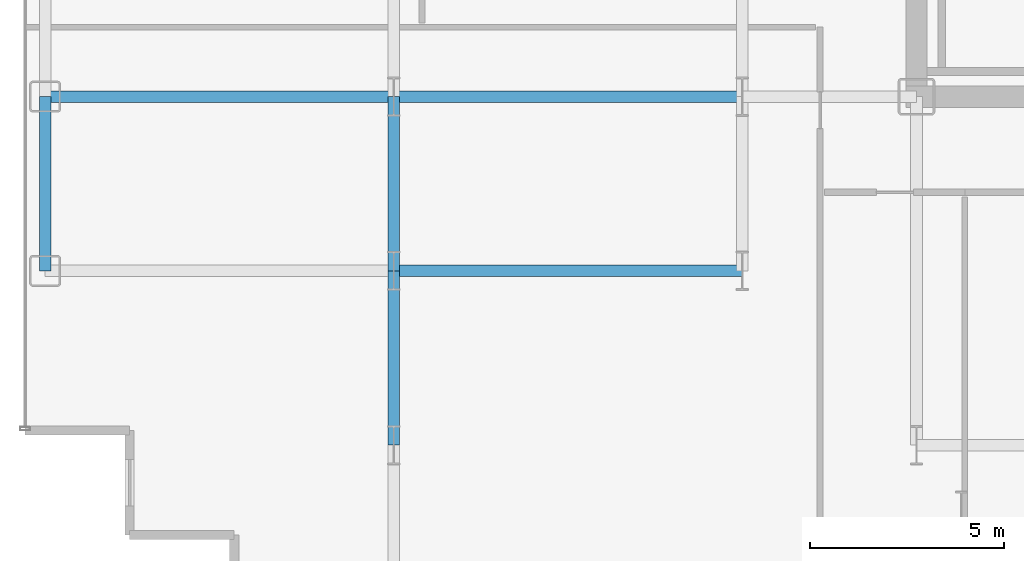
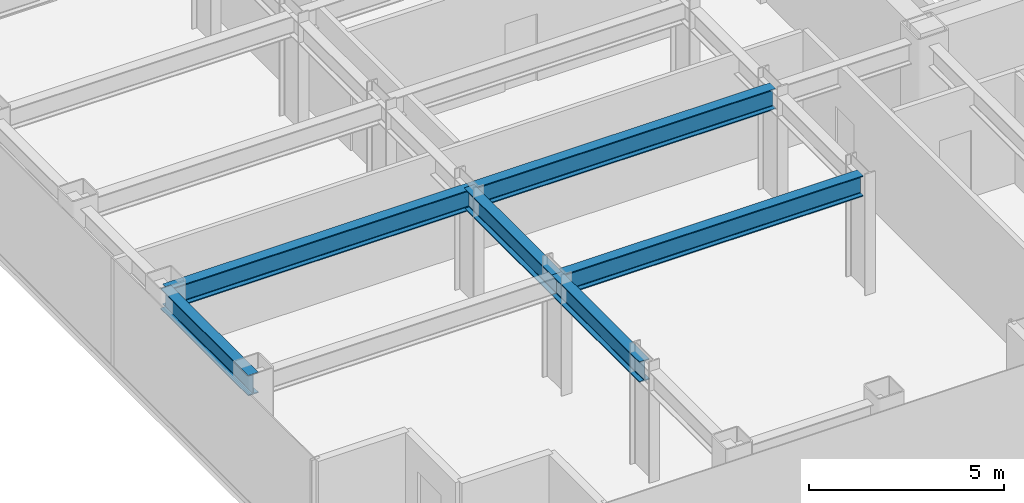
# One storey, part 3 of 26: 6 beams.
"""IFC4 building model written with IfcOpenShell, lengths in metres."""

from ifc_helpers import new_model, si_unit, direction, frame, origin, origin_2d, place, context, subcontext, project, spatial, i_section, extrude, source, transform, mapped, material, material_profile, profile_set, type_object, element, save


model = new_model("IFC4")

# Units and contexts
model_context = context("Model", 3, precision=1e-05, world=origin(), true_north=direction((0.0, 1.0)))
body_context = subcontext(model_context, "Body", "Model", "MODEL_VIEW")
ifc_project = project(units=[si_unit("LENGTHUNIT", "METRE"), si_unit("AREAUNIT", "SQUARE_METRE"), si_unit("VOLUMEUNIT", "CUBIC_METRE"), si_unit("PLANEANGLEUNIT", "RADIAN"), si_unit("MASSUNIT", "GRAM", prefix="KILO")], contexts=[model_context])

# Site, building, storey
site_placement = place(None, origin())
site = spatial("IfcSite", under=ifc_project, at=site_placement, CompositionType="ELEMENT")
building_placement = place(site_placement, origin())
building = spatial("IfcBuilding", under=site, at=building_placement, Name="Nefas-Gora Pilgrimage Tower", CompositionType="ELEMENT")
storey_placement = place(building_placement, frame((0.0, 0.0, 140.199951171875)))
storey = spatial("IfcBuildingStorey", under=building, at=storey_placement, Name="L34", CompositionType="ELEMENT", Elevation=140.199951171875)

# Beams
ifc_material = material(Name="Steel S355", Category="steel")
ifc_material_profile_1 = material_profile(ifc_material, i_section(OverallWidth=0.300048828125, OverallDepth=0.64990234375, WebThickness=0.01611328125, FlangeThickness=0.031005859375, FilletRadius=0.027099609375, at=origin_2d()), Name="HEB 650")
ifc_profile_set_1 = profile_set([ifc_material_profile_1], Name="Steel S355")
beam_type_1 = type_object("IfcBeamType", Name="BM-SPN-HEB500", PredefinedType="SPANDREL", material=ifc_profile_set_1)
shared_shape_1 = source(origin(), body_context, "Body", "SweptSolid", [
    extrude(i_section(OverallWidth=0.300048828125, OverallDepth=0.64990234375, WebThickness=0.01611328125, FlangeThickness=0.031005859375, FilletRadius=0.027099609375, at=origin_2d()), origin(), (0.0, 0.0, 1.0), 4.5),
])
beam_placement = place(storey_placement, frame((-33.75, -13.5, 3.175048828125), z_axis=(0.0, 1.0, 0.0), x_axis=(-1.0, 0.0, 0.0)))
element("IfcBeam", 1, at=beam_placement, inside=storey, type_object=beam_type_1, Name="L34 SP-02 beam", PredefinedType="SPANDREL", context=body_context, shape_type="MappedRepresentation", body=[
    mapped(shared_shape_1, transform((0.0, 0.0, 0.0), x_axis=(1.0, 0.0, 0.0), y_axis=(0.0, 1.0, 0.0), z_axis=(0.0, 0.0, 1.0), scale=1.0)),
])
ifc_material_profile_2 = material_profile(ifc_material, i_section(OverallWidth=0.300048828125, OverallDepth=0.64990234375, WebThickness=0.01611328125, FlangeThickness=0.031005859375, FilletRadius=0.027099609375, at=origin_2d()), Name="HEB 650")
ifc_profile_set_2 = profile_set([ifc_material_profile_2], Name="Steel S355")
beam_type_2 = type_object("IfcBeamType", Name="BM-GIR-HEB650", PredefinedType="BEAM", material=ifc_profile_set_2)
shared_shape_2 = source(origin(), body_context, "Body", "SweptSolid", [
    extrude(i_section(OverallWidth=0.300048828125, OverallDepth=0.64990234375, WebThickness=0.01611328125, FlangeThickness=0.031005859375, FilletRadius=0.027099609375, at=origin_2d()), origin(), (0.0, 0.0, 1.0), 9.0),
])
for number, where, z_axis, x_axis, name in (
    (2, (-33.75, -9.0, 3.175048828125), (1.0, 0.0, 0.0), (0.0, 1.0, 0.0), "L34 G-03 beam"),
    (3, (-24.75, -13.5, 3.175048828125), (1.0, 0.0, 0.0), (0.0, 1.0, 0.0), "L34 G-03 beam"),
    (4, (-24.75, -9.0, 3.175048828125), (1.0, 0.0, 0.0), (0.0, 1.0, 0.0), "L34 G-03 beam"),
):
    element("IfcBeam", number, at=place(storey_placement, frame(where, z_axis=z_axis, x_axis=x_axis)), inside=storey, type_object=beam_type_2, Name=name, PredefinedType="BEAM", context=body_context, shape_type="MappedRepresentation", body=[
        mapped(shared_shape_2, transform((0.0, 0.0, 0.0), x_axis=(1.0, 0.0, 0.0), y_axis=(0.0, 1.0, 0.0), z_axis=(0.0, 0.0, 1.0), scale=1.0)),
    ])
shared_shape_3 = source(origin(), body_context, "Body", "SweptSolid", [
    extrude(i_section(OverallWidth=0.300048828125, OverallDepth=0.64990234375, WebThickness=0.01611328125, FlangeThickness=0.031005859375, FilletRadius=0.027099609375, at=origin_2d()), origin(), (0.0, 0.0, 1.0), 4.5),
])
for number, where, z_axis, x_axis, name in (
    (5, (-24.75, -18.0, 3.175048828125), (0.0, 1.0, 0.0), (-1.0, 0.0, 0.0), "L34 G-03 beam"),
    (6, (-24.75, -13.5, 3.175048828125), (0.0, 1.0, 0.0), (-1.0, 0.0, 0.0), "L34 G-03 beam"),
):
    element("IfcBeam", number, at=place(storey_placement, frame(where, z_axis=z_axis, x_axis=x_axis)), inside=storey, type_object=beam_type_2, Name=name, PredefinedType="BEAM", context=body_context, shape_type="MappedRepresentation", body=[
        mapped(shared_shape_3, transform((0.0, 0.0, 0.0), x_axis=(1.0, 0.0, 0.0), y_axis=(0.0, 1.0, 0.0), z_axis=(0.0, 0.0, 1.0), scale=1.0)),
    ])

save(model, "model.ifc")
